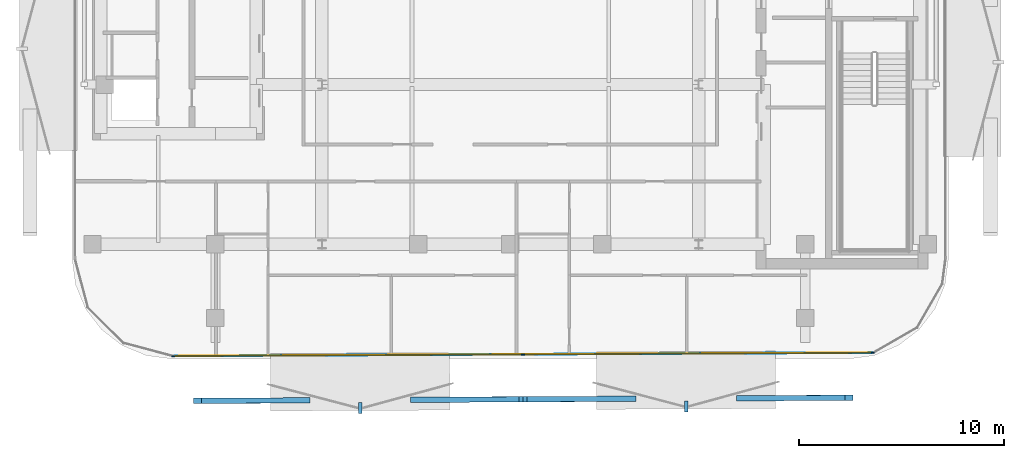
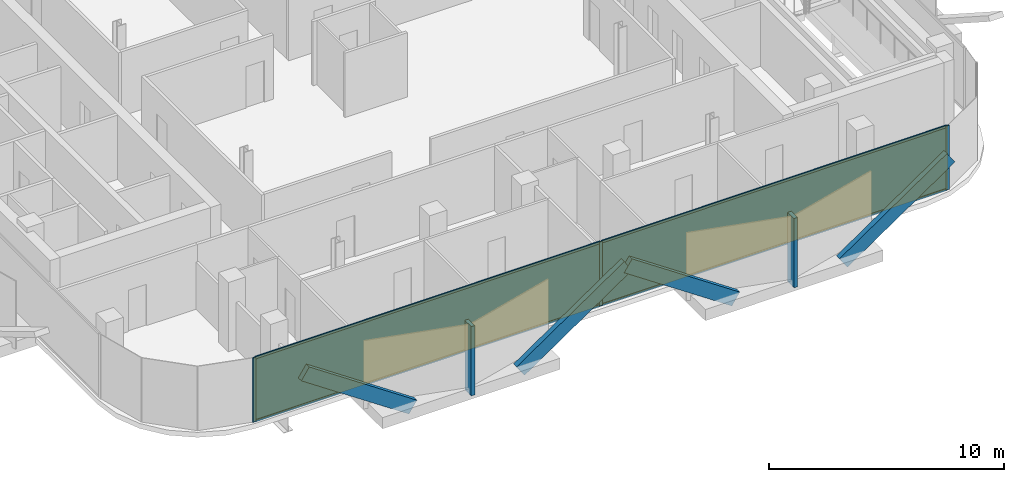
# One storey, part 8 of 15: 13 members, 2 plates, 1 curtain wall.
"""IFC4 building model written with IfcOpenShell, lengths in metres."""

from ifc_helpers import new_model, si_unit, direction, frame, frame_2d, origin, origin_2d, place, context, subcontext, project, spatial, rectangle, extrude, material, layer, layer_set, material_profile, profile_set, type_object, element, aggregate, save


model = new_model("IFC4")

# Units and contexts
model_context = context("Model", 3, precision=1e-05, world=origin(), true_north=direction((0.0, 1.0)))
body_context = subcontext(model_context, "Body", "Model", "MODEL_VIEW")
ifc_project = project(units=[si_unit("LENGTHUNIT", "METRE"), si_unit("AREAUNIT", "SQUARE_METRE"), si_unit("VOLUMEUNIT", "CUBIC_METRE"), si_unit("PLANEANGLEUNIT", "RADIAN"), si_unit("MASSUNIT", "GRAM", prefix="KILO")], contexts=[model_context])

# Member
ifc_material_1 = material(Name="Anodised Bronze Aluminium 6063-T6", Category="aluminium")
ifc_material_profile_1 = material_profile(ifc_material_1, rectangle(XDim=0.260009765625, YDim=0.699951171875, at=origin_2d()))
ifc_profile_set_1 = profile_set([ifc_material_profile_1], Name="Anodised Bronze Aluminium 6063-T6")
member_type_1 = type_object("IfcMemberType", Name="Bronze Diamond Solar-Screen Lattice Rib BDL-700", PredefinedType="MULLION", material=ifc_profile_set_1)
site_placement = place(None, origin())
building_placement = place(site_placement, origin())
storey_placement = place(building_placement, frame((0.0, 0.0, 262.0)))
member_1_placement = place(storey_placement, frame((5.934814453125, -26.14306640625, -0.1298828125), z_axis=(-0.827415684304, -0.003922845362, 0.561576260762), x_axis=(-0.007387302025, 0.999965111653, -0.003899133943)))
member_1 = element("IfcMember", 1, at=member_1_placement, type_object=member_type_1, Name="L62 Bronze Diamond Solar Screen Lattice Rib 425A", PredefinedType="MULLION", context=body_context, shape_type="SweptSolid", body=[
    extrude(rectangle(XDim=0.260009765625, YDim=0.699951171875, at=origin_2d()), origin(), (0.0, 0.0, 1.0), 6.41015625),
])

member_2_placement = place(storey_placement, frame((11.23828125, -26.11767578125, -0.1298828125), z_axis=(0.827415560084, 0.003960930644, 0.561576176453), x_axis=(0.007433328889, -0.999964770566, -0.003899134213)))
member_2 = element("IfcMember", 2, at=member_2_placement, type_object=member_type_1, Name="L62 Bronze Diamond Solar Screen Lattice Rib 425B", PredefinedType="MULLION", context=body_context, shape_type="SweptSolid", body=[
    extrude(rectangle(XDim=0.260009765625, YDim=0.699951171875, at=origin_2d()), origin(), (0.0, 0.0, 1.0), 6.41015625),
])

member_3_placement = place(storey_placement, frame((-9.9765625, -26.218994140625, -0.1298828125), z_axis=(-0.827415684304, -0.003922845362, 0.561576260762), x_axis=(-0.007387302025, 0.999965111653, -0.003899133943)))
member_3 = element("IfcMember", 3, at=member_3_placement, type_object=member_type_1, Name="L62 Bronze Diamond Solar Screen Lattice Rib 426A", PredefinedType="MULLION", context=body_context, shape_type="SweptSolid", body=[
    extrude(rectangle(XDim=0.260009765625, YDim=0.699951171875, at=origin_2d()), origin(), (0.0, 0.0, 1.0), 6.41015625),
])

member_4_placement = place(storey_placement, frame((-4.6728515625, -26.193603515625, -0.1298828125), z_axis=(0.827403547861, 0.003961055468, 0.561593873744), x_axis=(0.007433632632, -0.999964768529, -0.00389907761)))
member_4 = element("IfcMember", 4, at=member_4_placement, type_object=member_type_1, Name="L62 Bronze Diamond Solar Screen Lattice Rib 426B", PredefinedType="MULLION", context=body_context, shape_type="SweptSolid", body=[
    extrude(rectangle(XDim=0.260009765625, YDim=0.699951171875, at=origin_2d()), origin(), (0.0, 0.0, 1.0), 6.41015625),
])

ifc_material_2 = material(Name="Anodised Bronze Aluminium 6063-T6", Category="aluminium")
ifc_material_profile_2 = material_profile(ifc_material_2, rectangle(XDim=0.179931640625, YDim=0.5400390625, at=origin_2d()))
ifc_profile_set_2 = profile_set([ifc_material_profile_2], Name="Anodised Bronze Aluminium 6063-T6")
member_type_2 = type_object("IfcMemberType", Name="Bronze Solar-Screen Vertical Fold Fin BSF-540", PredefinedType="MULLION", material=ifc_profile_set_2)
member_5_placement = place(storey_placement, frame((8.58837890625, -26.520263671875, -0.1298828125), z_axis=(0.0, 0.0, 1.0), x_axis=(-0.999988896716, -0.004712371539, 0.0)))
member_5 = element("IfcMember", 5, at=member_5_placement, type_object=member_type_2, Name="L62 Bronze Solar Screen Vertical Fin 425", PredefinedType="MULLION", context=body_context, shape_type="SweptSolid", body=[
    extrude(rectangle(XDim=0.179931640625, YDim=0.5400390625, at=origin_2d()), origin(), (0.0, 0.0, 1.0), 3.599853515625),
])

member_6_placement = place(storey_placement, frame((-7.322998046875, -26.59619140625, -0.1298828125), z_axis=(0.0, 0.0, 1.0), x_axis=(-0.999988896716, -0.004712371539, 0.0)))
member_6 = element("IfcMember", 6, at=member_6_placement, type_object=member_type_2, Name="L62 Bronze Solar Screen Vertical Fin 426", PredefinedType="MULLION", context=body_context, shape_type="SweptSolid", body=[
    extrude(rectangle(XDim=0.179931640625, YDim=0.5400390625, at=origin_2d()), origin(), (0.0, 0.0, 1.0), 3.599853515625),
])

ifc_material_3 = material(Name="Anodised Bronze Aluminium 6063-T6", Category="aluminium")
ifc_material_profile_3 = material_profile(ifc_material_3, rectangle(XDim=0.06005859375, YDim=0.159912109375, at=origin_2d()))
ifc_profile_set_3 = profile_set([ifc_material_profile_3], Name="Anodised Bronze Aluminium 6063-T6")
member_type_3 = type_object("IfcMemberType", Name="CW-Z4 Mullion 60x160", PredefinedType="MULLION", material=ifc_profile_set_3)
member_7_placement = place(storey_placement, frame((17.70166015625, -23.896728515625, 0.0), z_axis=(0.0, 0.0, 1.0), x_axis=(0.004774582141, -0.999988601618, 0.0)))
member_7 = element("IfcMember", 7, at=member_7_placement, type_object=member_type_3, Name="CW-Z4 mullion 1", PredefinedType="MULLION", context=body_context, shape_type="SweptSolid", body=[
    extrude(rectangle(XDim=0.06005859375, YDim=0.159912109375, at=origin_2d()), origin(), (0.0, 0.0, 1.0), 3.340087890625),
])

member_8_placement = place(storey_placement, frame((0.620361328125, -23.978271484375, 0.0), z_axis=(0.0, 0.0, 1.0), x_axis=(0.004774582141, -0.999988601618, 0.0)))
member_8 = element("IfcMember", 8, at=member_8_placement, type_object=member_type_3, Name="CW-Z4 mullion 2", PredefinedType="MULLION", context=body_context, shape_type="SweptSolid", body=[
    extrude(rectangle(XDim=0.06005859375, YDim=0.159912109375, at=origin_2d()), origin(), (0.0, 0.0, 1.0), 3.340087890625),
])

member_9_placement = place(storey_placement, frame((-16.460693359375, -24.059814453125, 0.0), z_axis=(0.0, 0.0, 1.0), x_axis=(0.004774582141, -0.999988601618, 0.0)))
member_9 = element("IfcMember", 9, at=member_9_placement, type_object=member_type_3, Name="CW-Z4 mullion 3", PredefinedType="MULLION", context=body_context, shape_type="SweptSolid", body=[
    extrude(rectangle(XDim=0.06005859375, YDim=0.159912109375, at=origin_2d()), origin(), (0.0, 0.0, 1.0), 3.340087890625),
])

ifc_material_4 = material(Name="Anodised Bronze Aluminium 6063-T6", Category="aluminium")
ifc_material_profile_4 = material_profile(ifc_material_4, rectangle(XDim=0.06005859375, YDim=0.125, at=origin_2d()))
ifc_profile_set_4 = profile_set([ifc_material_profile_4], Name="Anodised Bronze Aluminium 6063-T6")
member_type_4 = type_object("IfcMemberType", Name="CW-Z4 Transom 60x125", PredefinedType="USERDEFINED", material=ifc_profile_set_4)
member_10_placement = place(storey_placement, frame((17.671630859375, -23.89697265625, 0.030029296875), z_axis=(-0.999988593596, -0.004776261875, 0.0), x_axis=(0.004776261875, -0.999988593596, 0.0)))
member_10 = element("IfcMember", 10, at=member_10_placement, type_object=member_type_4, Name="CW-Z4 transom 1.1", ObjectType="TRANSOM", PredefinedType="USERDEFINED", context=body_context, shape_type="SweptSolid", body=[
    extrude(rectangle(XDim=0.06005859375, YDim=0.125, at=origin_2d()), origin(), (0.0, 0.0, 1.0), 17.021484375),
])

member_11_placement = place(storey_placement, frame((17.671630859375, -23.89697265625, 3.31005859375), z_axis=(-0.999988593596, -0.004776261875, 0.0), x_axis=(0.004776261875, -0.999988593596, 0.0)))
member_11 = element("IfcMember", 11, at=member_11_placement, type_object=member_type_4, Name="CW-Z4 transom 1.2", ObjectType="TRANSOM", PredefinedType="USERDEFINED", context=body_context, shape_type="SweptSolid", body=[
    extrude(rectangle(XDim=0.06005859375, YDim=0.125, at=origin_2d()), origin(), (0.0, 0.0, 1.0), 17.021484375),
])

member_12_placement = place(storey_placement, frame((0.59033203125, -23.978515625, 0.030029296875), z_axis=(-0.999988593596, -0.004776261875, 0.0), x_axis=(0.004776261875, -0.999988593596, 0.0)))
member_12 = element("IfcMember", 12, at=member_12_placement, type_object=member_type_4, Name="CW-Z4 transom 2.1", ObjectType="TRANSOM", PredefinedType="USERDEFINED", context=body_context, shape_type="SweptSolid", body=[
    extrude(rectangle(XDim=0.06005859375, YDim=0.125, at=origin_2d()), origin(), (0.0, 0.0, 1.0), 17.021484375),
])

member_13_placement = place(storey_placement, frame((0.59033203125, -23.978515625, 3.31005859375), z_axis=(-0.999988593596, -0.004776261875, 0.0), x_axis=(0.004776261875, -0.999988593596, 0.0)))
member_13 = element("IfcMember", 13, at=member_13_placement, type_object=member_type_4, Name="CW-Z4 transom 2.2", ObjectType="TRANSOM", PredefinedType="USERDEFINED", context=body_context, shape_type="SweptSolid", body=[
    extrude(rectangle(XDim=0.06005859375, YDim=0.125, at=origin_2d()), origin(), (0.0, 0.0, 1.0), 17.021484375),
])

# Plate
ifc_material_5 = material(Name="Low-E Solar Control Laminated Glass", Category="glass")
ifc_layer_1 = layer(ifc_material_5, 0.030029296875, Name="Low-E Solar Control Laminated Glass")
ifc_layer_set_1 = layer_set([ifc_layer_1], Name="Low-E Solar Control Laminated Glass")
plate_type = type_object("IfcPlateType", Name="CW-Z4 Low-E Double Glazed Panel 30mm", PredefinedType="CURTAIN_PANEL", material=ifc_layer_set_1)
plate_1_placement = place(storey_placement, frame((9.1611328125, -23.9375, 0.06005859375), z_axis=(0.0, 0.0, 1.0), x_axis=(-0.999988601618, -0.004774582141, 0.0)))
plate_1 = element("IfcPlate", 14, at=plate_1_placement, type_object=plate_type, Name="CW-Z4 panel 1.1", PredefinedType="CURTAIN_PANEL", context=body_context, shape_type="SweptSolid", body=[
    extrude(rectangle(XDim=17.021484375, YDim=0.030029296875, at=origin_2d()), origin(), (0.0, 0.0, 1.0), 3.219970703125),
])

plate_2_placement = place(storey_placement, frame((-7.920166015625, -24.01904296875, 0.06005859375), z_axis=(0.0, 0.0, 1.0), x_axis=(-0.999988601618, -0.004774582141, 0.0)))
plate_2 = element("IfcPlate", 15, at=plate_2_placement, type_object=plate_type, Name="CW-Z4 panel 2.1", PredefinedType="CURTAIN_PANEL", context=body_context, shape_type="SweptSolid", body=[
    extrude(rectangle(XDim=17.021484375, YDim=0.030029296875, at=origin_2d()), origin(), (0.0, 0.0, 1.0), 3.219970703125),
])

# Site, building, storey
site = spatial("IfcSite", under=ifc_project, at=site_placement, CompositionType="ELEMENT")
building = spatial("IfcBuilding", under=site, at=building_placement, Name="Khairoan Windgate Tower", CompositionType="ELEMENT")
storey = spatial("IfcBuildingStorey", under=building, at=storey_placement, Name="L62", CompositionType="ELEMENT", Elevation=262.0)

# Curtain wall
ifc_material_6 = material(Name="Anodised Bronze Aluminium 6063-T6", Category="aluminium")
ifc_layer_2 = layer(ifc_material_6, 0.159912109375, Name="Anodised Bronze Aluminium 6063-T6")
ifc_layer_set_2 = layer_set([ifc_layer_2], Name="Anodised Bronze Aluminium 6063-T6")
curtain_wall_type = type_object("IfcCurtainWallType", Name="Sky Residence Unitised Curtain Wall CW-Z4", PredefinedType="NOTDEFINED", material=ifc_layer_set_2)
curtain_wall_placement = place(storey_placement, frame((17.731689453125, -23.896484375, 0.0), z_axis=(0.0, 0.0, 1.0), x_axis=(-0.99998857724, -0.004779685013, 0.0)))
curtain_wall = element("IfcCurtainWall", 16, at=curtain_wall_placement, inside=storey, type_object=curtain_wall_type, Name="L62 Unitised Curtain Wall 1", PredefinedType="NOTDEFINED", context=body_context, shape_type="SweptSolid", body=[
    extrude(rectangle(XDim=34.222900390625, YDim=0.010009765625, at=frame_2d((17.111328125, 0.0))), origin(), (0.0, 0.0, 1.0), 3.340087890625),
])

aggregate(curtain_wall, [member_7, member_8, member_9, member_10, member_11, plate_1, member_12, member_13, plate_2, member_1, member_2, member_5, member_3, member_4, member_6])

save(model, "model.ifc")
